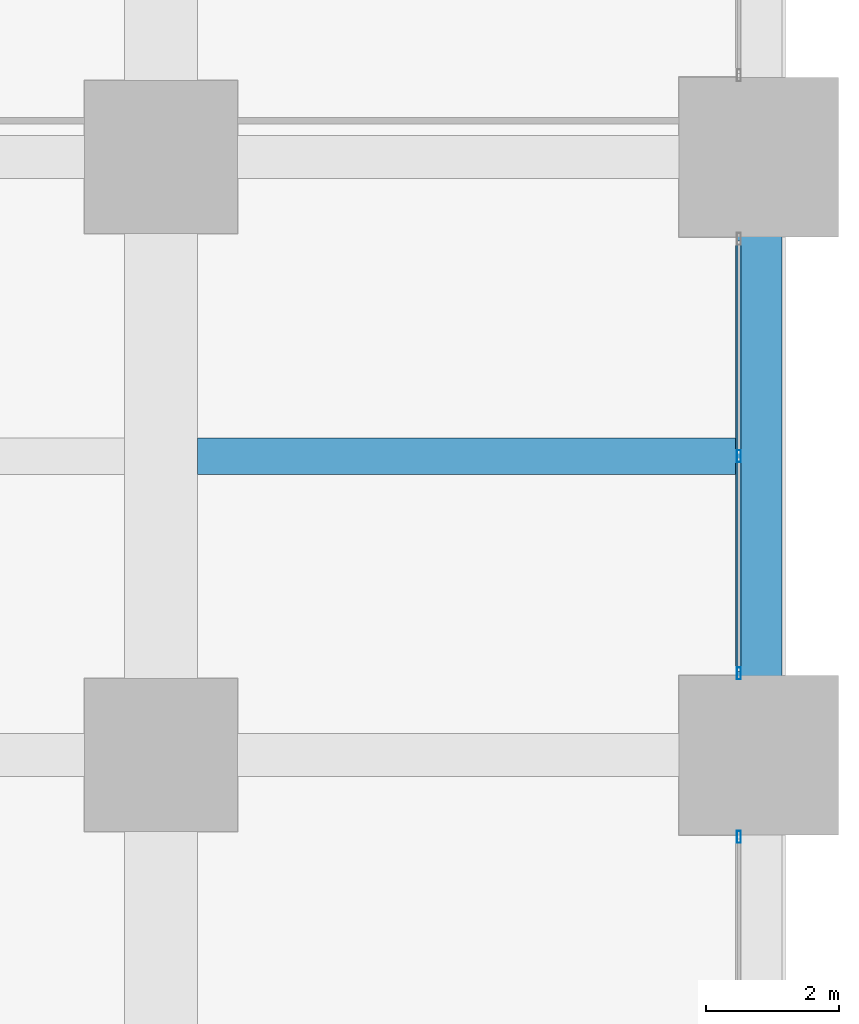
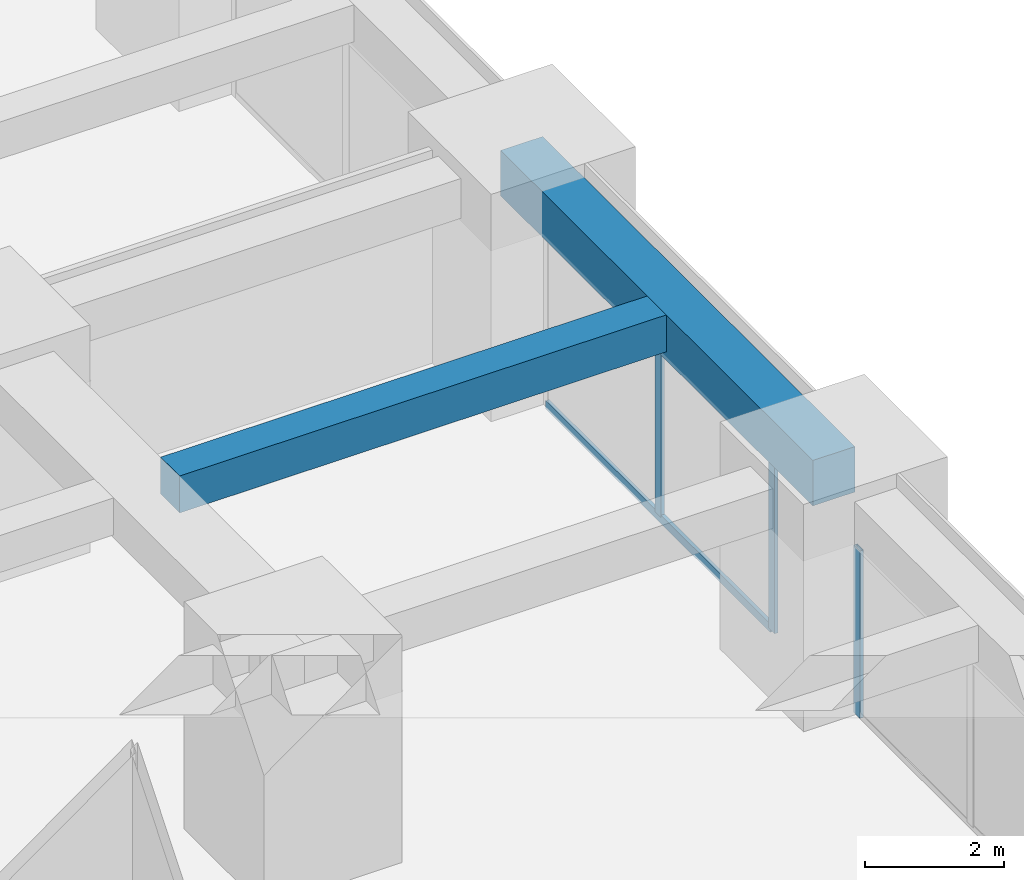
# One storey, part 22 of 44: 4 members, 2 beams, 2 elements without a shape of their own.
"""IFC4 building model written with IfcOpenShell, lengths in metres."""

import ifcopenshell
import ifcopenshell.guid

model = None  # the IFC model being written
_history = None  # IfcOwnerHistory: only IFC2X3 demands one
_inside = {}  # id of a spatial element -> (the spatial element, [elements in it])
_under = {}  # id of a project, library or spatial element -> (it, [spatial elements below it])
_declared = {}  # id of a project -> (the project, [libraries it declares])
_typed = {}  # id of a type object -> (the type object, [elements of that type])
_made_of = {}  # id of a material, layer set ... -> (it, [elements and type objects made of it])


def new_model(schema):
    """Start an empty IFC model of exactly this schema.

    Asked for "IFC4X3", IfcOpenShell would pick the latest addendum, in which some entities
    have other attributes; the version numbers below select the first issue.
    IFC2X3 requires an IfcOwnerHistory on every rooted entity: one is made here for all.
    """
    global model, _history
    if schema == "IFC4X3":
        model = ifcopenshell.file(schema_version=(4, 3, 0, 0))
    else:
        model = ifcopenshell.file(schema=schema)
    _inside.clear()
    _under.clear()
    _declared.clear()
    _typed.clear()
    _made_of.clear()
    _history = None
    if model.schema == "IFC2X3":
        org = make("IfcOrganization", Name="unknown")
        user = make(
            "IfcPersonAndOrganization",
            ThePerson=make("IfcPerson", FamilyName="unknown"),
            TheOrganization=org,
        )
        app = make(
            "IfcApplication",
            ApplicationDeveloper=org,
            Version="unknown",
            ApplicationFullName="unknown",
            ApplicationIdentifier="unknown",
        )
        _history = make(
            "IfcOwnerHistory",
            OwningUser=user,
            OwningApplication=app,
            ChangeAction="ADDED",
            CreationDate=0,
        )
    return model


def make(cls, **values):
    """One entity of the class cls with the attributes given. An attribute that is None is left unset."""
    return model.create_entity(
        cls, **{name: value for name, value in values.items() if value is not None}
    )


def rooted(cls, **values):
    """An entity with a GlobalId (a new one), such as an element, a storey or a relation."""
    return make(cls, GlobalId=ifcopenshell.guid.new(), OwnerHistory=_history, **values)


def si_unit(unit_type, name, prefix=None):
    """IfcSIUnit, for example si_unit("LENGTHUNIT", "METRE", prefix="MILLI")."""
    return make("IfcSIUnit", UnitType=unit_type, Prefix=prefix, Name=name)


def assignment(units):
    """IfcUnitAssignment: the units of a project."""
    return None if units is None else make("IfcUnitAssignment", Units=units)


def point(xyz):
    """IfcCartesianPoint."""
    return None if xyz is None else make("IfcCartesianPoint", Coordinates=xyz)


def direction(xyz):
    """IfcDirection."""
    return None if xyz is None else make("IfcDirection", DirectionRatios=xyz)


def frame(location, z_axis=None, x_axis=None):
    """IfcAxis2Placement3D, a coordinate frame: its origin and axes. An axis left out is left unset."""
    return make(
        "IfcAxis2Placement3D",
        Location=point(location),
        Axis=direction(z_axis),
        RefDirection=direction(x_axis),
    )


def frame_2d(location, x_axis=None):
    """IfcAxis2Placement2D, a coordinate frame in the plane: its origin and x axis."""
    return make(
        "IfcAxis2Placement2D", Location=point(location), RefDirection=direction(x_axis)
    )


def origin():
    """The frame at (0, 0, 0) with its axes left unset."""
    return frame((0.0, 0.0, 0.0))


def origin_2d():
    """The frame at (0, 0) in the plane with its x axis left unset."""
    return frame_2d((0.0, 0.0))


def place(relative_to, where):
    """IfcLocalPlacement: puts the frame where relative to a parent placement (None: the world)."""
    return make(
        "IfcLocalPlacement", PlacementRelTo=relative_to, RelativePlacement=where
    )


def context(
    kind, dimensions, precision=None, world=None, true_north=None, identifier=None
):
    """IfcGeometricRepresentationContext, for example the 3D "Model" context."""
    return make(
        "IfcGeometricRepresentationContext",
        ContextIdentifier=identifier,
        ContextType=kind,
        CoordinateSpaceDimension=dimensions,
        Precision=precision,
        WorldCoordinateSystem=world,
        TrueNorth=true_north,
    )


def subcontext(parent, identifier, kind, view, scale=None):
    """IfcGeometricRepresentationSubContext, for example "Body" below "Model"."""
    return make(
        "IfcGeometricRepresentationSubContext",
        ContextIdentifier=identifier,
        ContextType=kind,
        ParentContext=parent,
        TargetScale=scale,
        TargetView=view,
    )


def project(units=None, contexts=None):
    """IfcProject with its units and contexts."""
    return rooted(
        "IfcProject",
        Name="project",
        RepresentationContexts=contexts,
        UnitsInContext=assignment(units),
    )


def spatial(cls, under=None, at=None, **own):
    """A site, building, storey or space (cls), placed at a placement, below another one or the project."""
    s = rooted(cls, ObjectPlacement=at, **own)
    if under is not None:
        _under.setdefault(under.id(), (under, []))[1].append(s)
    return s


def profile(cls, at=None, kind="AREA", **sizes):
    """A parametric profile (cls). Its sizes go by their IFC names, for example OverallWidth=200.0."""
    return make(cls, ProfileType=kind, Position=at, **sizes)


def rectangle(**sizes):
    """IfcRectangleProfileDef."""
    return profile("IfcRectangleProfileDef", **sizes)


def hollow_rectangle(**sizes):
    """IfcRectangleHollowProfileDef."""
    return profile("IfcRectangleHollowProfileDef", **sizes)


def extrude(swept, where, along, depth):
    """IfcExtrudedAreaSolid: the profile swept, set in the frame where, extruded along a direction by depth."""
    return make(
        "IfcExtrudedAreaSolid",
        SweptArea=swept,
        Position=where,
        ExtrudedDirection=direction(along),
        Depth=depth,
    )


def shape(context_of_items, identifier, shape_type, items):
    """IfcShapeRepresentation: the items that make up one representation, for example the "Body"."""
    return make(
        "IfcShapeRepresentation",
        ContextOfItems=context_of_items,
        RepresentationIdentifier=identifier,
        RepresentationType=shape_type,
        Items=items,
    )


def material(Name=None, Category=None):
    """IfcMaterial."""
    return make("IfcMaterial", Name=Name, Category=Category)


def material_profile(
    of_material, cross_section, Name=None, Category=None, Priority=None
):
    """IfcMaterialProfile: a cross section and its material."""
    return make(
        "IfcMaterialProfile",
        Name=Name,
        Material=of_material,
        Profile=cross_section,
        Priority=Priority,
        Category=Category,
    )


def profile_set(profiles, Name=None, composite=None):
    """IfcMaterialProfileSet."""
    return make(
        "IfcMaterialProfileSet",
        Name=Name,
        MaterialProfiles=profiles,
        CompositeProfile=composite,
    )


def made_of(thing, what):
    """Note that an element or type object is made of a material, layer set ...; save() writes the relation."""
    if what is not None:
        _made_of.setdefault(what.id(), (what, []))[1].append(thing)
    return thing


def type_object(cls, material=None, **own):
    """A type object (cls), such as IfcWallType, which elements share."""
    return made_of(rooted(cls, **own), material)


def element(
    cls,
    number,
    at=None,
    inside=None,
    cuts=None,
    type_object=None,
    material=None,
    context=None,
    identifier="Body",
    shape_type=None,
    held_by="IfcProductDefinitionShape",
    body=None,
    shapes=None,
    **own,
):
    """One element of the class cls, such as IfcWall. Its Tag is "e" and its number.

    at: its placement. inside: the storey or other place that contains it. cuts: it is an
    opening in that element (IfcRelVoidsElement). A single representation is given by context,
    identifier, shape_type and body (its items); several are given by shapes. held_by: the class
    of the entity that holds the representations. save() writes the other relations.
    """
    e = rooted(cls, Tag="e%d" % number, ObjectPlacement=at, **own)
    if body is not None:
        shapes = [shape(context, identifier, shape_type, body)]
    if shapes is not None:
        e.Representation = make(held_by, Representations=shapes)
    if inside is not None:
        _inside.setdefault(inside.id(), (inside, []))[1].append(e)
    if cuts is not None:
        rooted(
            "IfcRelVoidsElement", RelatingBuildingElement=cuts, RelatedOpeningElement=e
        )
    if type_object is not None:
        _typed.setdefault(type_object.id(), (type_object, []))[1].append(e)
    return made_of(e, material)


def aggregate(whole, parts):
    """IfcRelAggregates: a whole, such as a stair, and the parts it consists of."""
    return rooted("IfcRelAggregates", RelatingObject=whole, RelatedObjects=parts)


def save(model, path):
    """Write the relations noted so far, then the file.

    IfcRelAggregates (storeys below a building ...), IfcRelContainedInSpatialStructure (elements
    in a storey), IfcRelDefinesByType, IfcRelAssociatesMaterial and IfcRelDeclares: one each for
    every whole, place, type object, material and project.
    """
    for whole, parts in _under.values():
        aggregate(whole, parts)
    for where, things in _inside.values():
        rooted(
            "IfcRelContainedInSpatialStructure",
            RelatedElements=things,
            RelatingStructure=where,
        )
    for kind, things in _typed.values():
        rooted("IfcRelDefinesByType", RelatedObjects=things, RelatingType=kind)
    for what, things in _made_of.values():
        rooted("IfcRelAssociatesMaterial", RelatedObjects=things, RelatingMaterial=what)
    for by, libraries in _declared.values():
        rooted("IfcRelDeclares", RelatingContext=by, RelatedDefinitions=libraries)
    model.write(path)


model = new_model("IFC4")

# Units and contexts
model_context = context("Model", 3, precision=1e-05, world=origin(), true_north=direction((0.0, 1.0)))
body_context = subcontext(model_context, "Body", "Model", "MODEL_VIEW")
ifc_project = project(units=[si_unit("LENGTHUNIT", "METRE"), si_unit("AREAUNIT", "SQUARE_METRE"), si_unit("VOLUMEUNIT", "CUBIC_METRE"), si_unit("PLANEANGLEUNIT", "RADIAN"), si_unit("MASSUNIT", "GRAM", prefix="KILO")], contexts=[model_context])

# Site, building, storey
site_placement = place(None, origin())
site = spatial("IfcSite", under=ifc_project, at=site_placement, CompositionType="ELEMENT")
building_placement = place(site_placement, origin())
building = spatial("IfcBuilding", under=site, at=building_placement, Name="Zorevar Civic Tower", CompositionType="ELEMENT")
storey_placement = place(building_placement, frame((0.0, 0.0, 35.800048828125)))
storey = spatial("IfcBuildingStorey", under=building, at=storey_placement, Name="L08", CompositionType="ELEMENT", Elevation=35.800048828125)

# Beam
ifc_material_1 = material(Name="Concrete C50/60", Category="concrete")
ifc_material_profile_1 = material_profile(ifc_material_1, rectangle(XDim=0.550048828125, YDim=0.64990234375, at=origin_2d()), Name="RC 550x650")
ifc_profile_set_1 = profile_set([ifc_material_profile_1], Name="Concrete C50/60")
beam_type_1 = type_object("IfcBeamType", Name="Beam RC 550x650", PredefinedType="BEAM", material=ifc_profile_set_1)
beam_1_placement = place(storey_placement, frame((54.550048828125, 31.5, 3.425048828125), z_axis=(1.0, 0.0, 0.0), x_axis=(0.0, 1.0, 0.0)))
element("IfcBeam", 1, at=beam_1_placement, inside=storey, type_object=beam_type_1, Name="Secondary beam L09", PredefinedType="BEAM", context=body_context, shape_type="SweptSolid", body=[
    extrude(rectangle(XDim=0.550048828125, YDim=0.64990234375, at=origin_2d()), origin(), (0.0, 0.0, 1.0), 8.099853515625),
])

# Curtain wall, member
ifc_material_2 = material(Name="Dark grey solar-control glass in black aluminium frame", Category="aluminium")
curtain_wall_type = type_object("IfcCurtainWallType", Name="Curtain wall CW2 low zone", PredefinedType="NOTDEFINED", material=ifc_material_2)
curtain_wall_1_placement = place(storey_placement, origin())
curtain_wall_1 = element("IfcCurtainWall", 2, at=curtain_wall_1_placement, inside=storey, type_object=curtain_wall_type, Name="CW2 L08", PredefinedType="NOTDEFINED")
ifc_material_3 = material(Name="Aluminium, black anodised", Category="aluminium")
ifc_material_profile_2 = material_profile(ifc_material_3, hollow_rectangle(XDim=0.06005859375, YDim=0.179931640625, WallThickness=0.00390625, at=origin_2d()), Name="AL 180x60x4")
ifc_profile_set_2 = profile_set([ifc_material_profile_2], Name="Aluminium, black anodised")
member_type_1 = type_object("IfcMemberType", Name="CW2 mullion AL 180x60x4", PredefinedType="MULLION", material=ifc_profile_set_2)
member_1_placement = place(storey_placement, frame((62.699951171875, 25.77001953125, 0.0), z_axis=(0.0, 0.0, 1.0), x_axis=(-1.0, 0.0, 0.0)))
member_1 = element("IfcMember", 3, at=member_1_placement, type_object=member_type_1, Name="CW2 mullion 3", PredefinedType="MULLION", context=body_context, shape_type="SweptSolid", body=[
    extrude(hollow_rectangle(XDim=0.06005859375, YDim=0.179931640625, WallThickness=0.00390625, at=origin_2d()), origin(), (0.0, 0.0, 1.0), 2.949951171875),
])
aggregate(curtain_wall_1, [member_1])

# Curtain wall, members
curtain_wall_2_placement = place(storey_placement, origin())
curtain_wall_2 = element("IfcCurtainWall", 4, at=curtain_wall_2_placement, inside=storey, type_object=curtain_wall_type, Name="CW2 L08", PredefinedType="NOTDEFINED")
member_2_placement = place(storey_placement, frame((62.699951171875, 28.22998046875, 0.0), z_axis=(0.0, 0.0, 1.0), x_axis=(-1.0, 0.0, 0.0)))
member_2 = element("IfcMember", 5, at=member_2_placement, type_object=member_type_1, Name="CW2 mullion 1", PredefinedType="MULLION", context=body_context, shape_type="SweptSolid", body=[
    extrude(hollow_rectangle(XDim=0.06005859375, YDim=0.179931640625, WallThickness=0.00390625, at=origin_2d()), origin(), (0.0, 0.0, 1.0), 2.949951171875),
])
member_3_placement = place(storey_placement, frame((62.699951171875, 31.5, 0.06005859375), z_axis=(0.0, 0.0, 1.0), x_axis=(-1.0, 0.0, 0.0)))
member_3 = element("IfcMember", 6, at=member_3_placement, type_object=member_type_1, Name="CW2 mullion 2", PredefinedType="MULLION", context=body_context, shape_type="SweptSolid", body=[
    extrude(hollow_rectangle(XDim=0.06005859375, YDim=0.179931640625, WallThickness=0.00390625, at=origin_2d()), origin(), (0.0, 0.0, 1.0), 2.889892578125),
])
ifc_material_4 = material(Name="Aluminium, black anodised", Category="aluminium")
ifc_material_profile_3 = material_profile(ifc_material_4, hollow_rectangle(XDim=0.06005859375, YDim=0.14990234375, WallThickness=0.00390625, at=origin_2d()), Name="AL 150x60x4")
ifc_profile_set_3 = profile_set([ifc_material_profile_3], Name="Aluminium, black anodised")
member_type_2 = type_object("IfcMemberType", Name="CW2 transom AL 150x60x4", PredefinedType="USERDEFINED", material=ifc_profile_set_3)
member_4_placement = place(storey_placement, frame((62.699951171875, 28.260009765625, 0.030029296875), z_axis=(0.0, 1.0, 0.0), x_axis=(-1.0, 0.0, 0.0)))
member_4 = element("IfcMember", 7, at=member_4_placement, type_object=member_type_2, Name="CW2 sill transom", ObjectType="TRANSOM", PredefinedType="USERDEFINED", context=body_context, shape_type="SweptSolid", body=[
    extrude(hollow_rectangle(XDim=0.06005859375, YDim=0.14990234375, WallThickness=0.00390625, at=origin_2d()), origin(), (0.0, 0.0, 1.0), 6.47998046875),
])
aggregate(curtain_wall_2, [member_2, member_3, member_4])

# Beam
ifc_material_5 = material(Name="Concrete C50/60", Category="concrete")
ifc_material_profile_4 = material_profile(ifc_material_5, rectangle(XDim=0.699951171875, YDim=0.800048828125, at=origin_2d()), Name="RC 700x800")
ifc_profile_set_4 = profile_set([ifc_material_profile_4], Name="Concrete C50/60")
beam_type_2 = type_object("IfcBeamType", Name="Edge beam RC 700x800", PredefinedType="SPANDREL", material=ifc_profile_set_4)
beam_2_placement = place(storey_placement, frame((63.0, 27.0, 3.349853515625), z_axis=(0.0, 1.0, 0.0), x_axis=(-1.0, 0.0, 0.0)))
element("IfcBeam", 8, at=beam_2_placement, inside=storey, type_object=beam_type_2, Name="Edge beam L09", PredefinedType="SPANDREL", context=body_context, shape_type="SweptSolid", body=[
    extrude(rectangle(XDim=0.699951171875, YDim=0.800048828125, at=origin_2d()), origin(), (0.0, 0.0, 1.0), 9.0),
])

save(model, "model.ifc")
